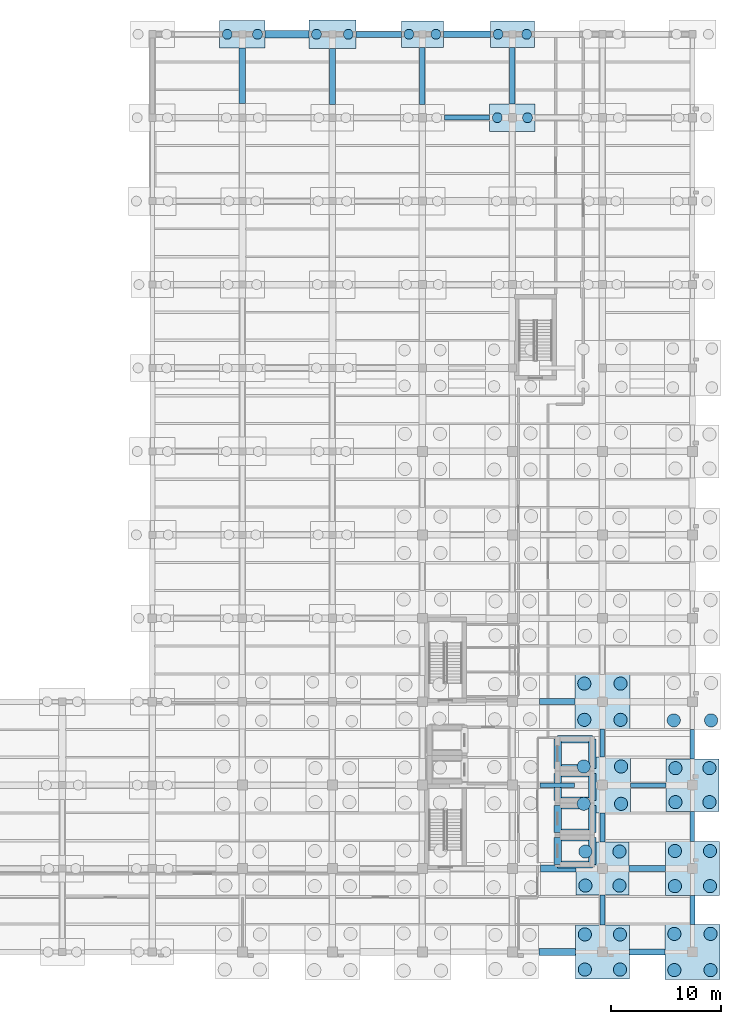
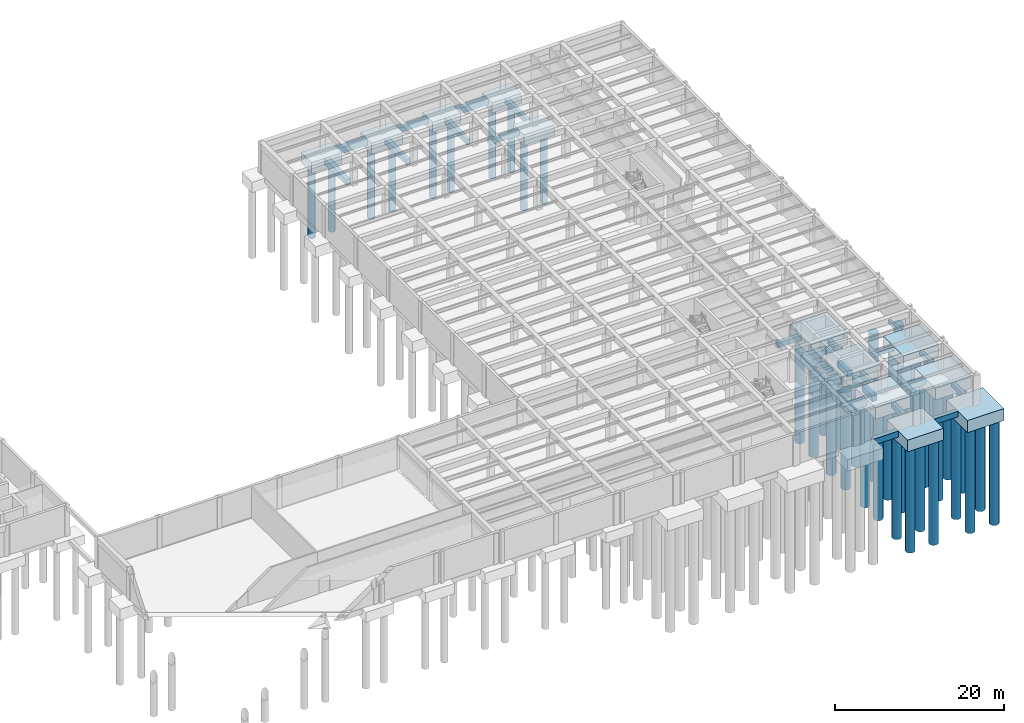
# One storey, part 6 of 29: 49 footings, 40 piles.
"""IFC4 building model written with IfcOpenShell, lengths in metres."""

from ifc_helpers import new_model, si_unit, direction, frame, origin, origin_2d, place, context, subcontext, project, spatial, rectangle, circle, extrude, material, material_profile, profile_set, type_object, element, save


model = new_model("IFC4")

# Units and contexts
model_context = context("Model", 3, precision=1e-05, world=origin(), true_north=direction((0.0, 1.0)))
body_context = subcontext(model_context, "Body", "Model", "MODEL_VIEW")
ifc_project = project(units=[si_unit("LENGTHUNIT", "METRE"), si_unit("AREAUNIT", "SQUARE_METRE"), si_unit("VOLUMEUNIT", "CUBIC_METRE"), si_unit("PLANEANGLEUNIT", "RADIAN"), si_unit("MASSUNIT", "GRAM", prefix="KILO")], contexts=[model_context])

# Site, building, storey
site_placement = place(None, origin())
site = spatial("IfcSite", under=ifc_project, at=site_placement, CompositionType="ELEMENT")
building_placement = place(site_placement, origin())
building = spatial("IfcBuilding", under=site, at=building_placement, Name="Qandaris Square Conservatory and Botanical Centre", CompositionType="ELEMENT")
storey_placement = place(building_placement, frame((0.0, 0.0, -4.800048828125)))
storey = spatial("IfcBuildingStorey", under=building, at=storey_placement, Name="B1", CompositionType="ELEMENT", Elevation=-4.800048828125)

# Piles
ifc_material_1 = material(Name="Concrete C50/60", Category="concrete")
ifc_material_profile_1 = material_profile(ifc_material_1, circle(Radius=0.60009765625, at=origin_2d()), Name="PILE D1200")
ifc_profile_set_1 = profile_set([ifc_material_profile_1], Name="Concrete C50/60")
pile_type_1 = type_object("IfcPileType", Name="Bored Pile D1200", PredefinedType="BORED", material=ifc_profile_set_1)
for number, where, z_axis, x_axis, name in (
    (1, (154.0, 15.0, -1.599853515625), (0.0, 0.0, -1.0), (1.0, 0.0, 0.0), "Bored Pile B19-1"),
    (2, (157.199951171875, 15.0, -1.599853515625), (0.0, 0.0, -1.0), (1.0, 0.0, 0.0), "Bored Pile B19-2"),
    (3, (154.0, 18.199951171875, -1.599853515625), (0.0, 0.0, -1.0), (1.0, 0.0, 0.0), "Bored Pile B19-3"),
    (4, (157.199951171875, 18.199951171875, -1.599853515625), (0.0, 0.0, -1.0), (1.0, 0.0, 0.0), "Bored Pile B19-4"),
):
    element("IfcPile", number, at=place(storey_placement, frame(where, z_axis=z_axis, x_axis=x_axis)), inside=storey, type_object=pile_type_1, Name=name, PredefinedType="BORED", context=body_context, shape_type="SweptSolid", body=[
        extrude(circle(Radius=0.60009765625, at=origin_2d()), origin(), (0.0, 0.0, 1.0), 15.10009765625),
    ])
for number, where, z_axis, x_axis, name in (
    (5, (154.050048828125, 22.64990234375, -1.550048828125), (0.0, 0.0, -1.0), (1.0, 0.0, 0.0), "Bored Pile C19-1"),
    (6, (157.14990234375, 22.64990234375, -1.550048828125), (0.0, 0.0, -1.0), (1.0, 0.0, 0.0), "Bored Pile C19-2"),
    (7, (154.050048828125, 25.75, -1.550048828125), (0.0, 0.0, -1.0), (1.0, 0.0, 0.0), "Bored Pile C19-3"),
    (8, (157.14990234375, 25.75, -1.550048828125), (0.0, 0.0, -1.0), (1.0, 0.0, 0.0), "Bored Pile C19-4"),
):
    element("IfcPile", number, at=place(storey_placement, frame(where, z_axis=z_axis, x_axis=x_axis)), inside=storey, type_object=pile_type_1, Name=name, PredefinedType="BORED", context=body_context, shape_type="SweptSolid", body=[
        extrude(circle(Radius=0.60009765625, at=origin_2d()), origin(), (0.0, 0.0, 1.0), 15.14990234375),
    ])
for number, where, z_axis, x_axis, name in (
    (9, (153.89990234375, 30.10009765625, -1.699951171875), (0.0, 0.0, -1.0), (1.0, 0.0, 0.0), "Bored Pile D19-1"),
    (10, (157.300048828125, 30.10009765625, -1.699951171875), (0.0, 0.0, -1.0), (1.0, 0.0, 0.0), "Bored Pile D19-2"),
    (11, (153.89990234375, 33.5, -1.699951171875), (0.0, 0.0, -1.0), (1.0, 0.0, 0.0), "Bored Pile D19-3"),
    (12, (157.300048828125, 33.5, -1.699951171875), (0.0, 0.0, -1.0), (1.0, 0.0, 0.0), "Bored Pile D19-4"),
):
    element("IfcPile", number, at=place(storey_placement, frame(where, z_axis=z_axis, x_axis=x_axis)), inside=storey, type_object=pile_type_1, Name=name, PredefinedType="BORED", context=body_context, shape_type="SweptSolid", body=[
        extrude(circle(Radius=0.60009765625, at=origin_2d()), origin(), (0.0, 0.0, 1.0), 15.0),
    ])
for number, where, z_axis, x_axis, name in (
    (13, (153.949951171875, 37.75, -1.64990234375), (0.0, 0.0, -1.0), (1.0, 0.0, 0.0), "Bored Pile E19-1"),
    (14, (157.25, 37.75, -1.64990234375), (0.0, 0.0, -1.0), (1.0, 0.0, 0.0), "Bored Pile E19-2"),
    (15, (153.949951171875, 41.050048828125, -1.64990234375), (0.0, 0.0, -1.0), (1.0, 0.0, 0.0), "Bored Pile E19-3"),
    (16, (157.25, 41.050048828125, -1.64990234375), (0.0, 0.0, -1.0), (1.0, 0.0, 0.0), "Bored Pile E19-4"),
    (17, (162.14990234375, 14.949951171875, -1.64990234375), (0.0, 0.0, -1.0), (1.0, 0.0, 0.0), "Bored Pile B20-1"),
    (18, (165.449951171875, 14.949951171875, -1.64990234375), (0.0, 0.0, -1.0), (1.0, 0.0, 0.0), "Bored Pile B20-2"),
    (19, (162.14990234375, 18.25, -1.64990234375), (0.0, 0.0, -1.0), (1.0, 0.0, 0.0), "Bored Pile B20-3"),
    (20, (165.449951171875, 18.25, -1.64990234375), (0.0, 0.0, -1.0), (1.0, 0.0, 0.0), "Bored Pile B20-4"),
):
    element("IfcPile", number, at=place(storey_placement, frame(where, z_axis=z_axis, x_axis=x_axis)), inside=storey, type_object=pile_type_1, Name=name, PredefinedType="BORED", context=body_context, shape_type="SweptSolid", body=[
        extrude(circle(Radius=0.60009765625, at=origin_2d()), origin(), (0.0, 0.0, 1.0), 15.050048828125),
    ])
for number, where, z_axis, x_axis, name in (
    (21, (162.199951171875, 22.60009765625, -1.599853515625), (0.0, 0.0, -1.0), (1.0, 0.0, 0.0), "Bored Pile C20-1"),
    (22, (165.39990234375, 22.60009765625, -1.599853515625), (0.0, 0.0, -1.0), (1.0, 0.0, 0.0), "Bored Pile C20-2"),
    (23, (162.199951171875, 25.800048828125, -1.599853515625), (0.0, 0.0, -1.0), (1.0, 0.0, 0.0), "Bored Pile C20-3"),
    (24, (165.39990234375, 25.800048828125, -1.599853515625), (0.0, 0.0, -1.0), (1.0, 0.0, 0.0), "Bored Pile C20-4"),
):
    element("IfcPile", number, at=place(storey_placement, frame(where, z_axis=z_axis, x_axis=x_axis)), inside=storey, type_object=pile_type_1, Name=name, PredefinedType="BORED", context=body_context, shape_type="SweptSolid", body=[
        extrude(circle(Radius=0.60009765625, at=origin_2d()), origin(), (0.0, 0.0, 1.0), 15.10009765625),
    ])
for number, where, z_axis, x_axis, name in (
    (25, (162.25, 30.25, -1.550048828125), (0.0, 0.0, -1.0), (1.0, 0.0, 0.0), "Bored Pile D20-1"),
    (26, (165.35009765625, 30.25, -1.550048828125), (0.0, 0.0, -1.0), (1.0, 0.0, 0.0), "Bored Pile D20-2"),
    (27, (162.25, 33.35009765625, -1.550048828125), (0.0, 0.0, -1.0), (1.0, 0.0, 0.0), "Bored Pile D20-3"),
    (28, (165.35009765625, 33.35009765625, -1.550048828125), (0.0, 0.0, -1.0), (1.0, 0.0, 0.0), "Bored Pile D20-4"),
):
    element("IfcPile", number, at=place(storey_placement, frame(where, z_axis=z_axis, x_axis=x_axis)), inside=storey, type_object=pile_type_1, Name=name, PredefinedType="BORED", context=body_context, shape_type="SweptSolid", body=[
        extrude(circle(Radius=0.60009765625, at=origin_2d()), origin(), (0.0, 0.0, 1.0), 15.14990234375),
    ])
for number, where, z_axis, x_axis, name in (
    (29, (162.10009765625, 37.699951171875, -1.699951171875), (0.0, 0.0, -1.0), (1.0, 0.0, 0.0), "Bored Pile E20-1"),
    (30, (165.5, 37.699951171875, -1.699951171875), (0.0, 0.0, -1.0), (1.0, 0.0, 0.0), "Bored Pile E20-2"),
):
    element("IfcPile", number, at=place(storey_placement, frame(where, z_axis=z_axis, x_axis=x_axis)), inside=storey, type_object=pile_type_1, Name=name, PredefinedType="BORED", context=body_context, shape_type="SweptSolid", body=[
        extrude(circle(Radius=0.60009765625, at=origin_2d()), origin(), (0.0, 0.0, 1.0), 15.0),
    ])
ifc_material_profile_2 = material_profile(ifc_material_1, circle(Radius=0.449951171875, at=origin_2d()), Name="PILE D900")
ifc_profile_set_2 = profile_set([ifc_material_profile_2], Name="Concrete C50/60")
pile_type_2 = type_object("IfcPileType", Name="Bored Pile D900", PredefinedType="BORED", material=ifc_profile_set_2)
for number, where, z_axis, x_axis, name in (
    (31, (121.425048828125, 100.199951171875, -1.449951171875), (0.0, 0.0, -1.0), (1.0, 0.0, 0.0), "Bored Pile N15-1"),
    (32, (124.175048828125, 100.199951171875, -1.449951171875), (0.0, 0.0, -1.0), (1.0, 0.0, 0.0), "Bored Pile N15-2"),
):
    element("IfcPile", number, at=place(storey_placement, frame(where, z_axis=z_axis, x_axis=x_axis)), inside=storey, type_object=pile_type_2, Name=name, PredefinedType="BORED", context=body_context, shape_type="SweptSolid", body=[
        extrude(circle(Radius=0.449951171875, at=origin_2d()), origin(), (0.0, 0.0, 1.0), 10.25),
    ])
for number, where, z_axis, x_axis, name in (
    (33, (129.550048828125, 100.199951171875, -1.5), (0.0, 0.0, -1.0), (1.0, 0.0, 0.0), "Bored Pile N16-1"),
    (34, (132.449951171875, 100.199951171875, -1.5), (0.0, 0.0, -1.0), (1.0, 0.0, 0.0), "Bored Pile N16-2"),
):
    element("IfcPile", number, at=place(storey_placement, frame(where, z_axis=z_axis, x_axis=x_axis)), inside=storey, type_object=pile_type_2, Name=name, PredefinedType="BORED", context=body_context, shape_type="SweptSolid", body=[
        extrude(circle(Radius=0.449951171875, at=origin_2d()), origin(), (0.0, 0.0, 1.0), 10.199951171875),
    ])
for number, where, z_axis, x_axis, name in (
    (35, (137.97509765625, 100.199951171875, -1.349853515625), (0.0, 0.0, -1.0), (1.0, 0.0, 0.0), "Bored Pile N17-1"),
    (36, (140.425048828125, 100.199951171875, -1.349853515625), (0.0, 0.0, -1.0), (1.0, 0.0, 0.0), "Bored Pile N17-2"),
):
    element("IfcPile", number, at=place(storey_placement, frame(where, z_axis=z_axis, x_axis=x_axis)), inside=storey, type_object=pile_type_2, Name=name, PredefinedType="BORED", context=body_context, shape_type="SweptSolid", body=[
        extrude(circle(Radius=0.449951171875, at=origin_2d()), origin(), (0.0, 0.0, 1.0), 10.35009765625),
    ])
for number, where, z_axis, x_axis, name in (
    (37, (146.02490234375, 92.60009765625, -1.449951171875), (0.0, 0.0, -1.0), (1.0, 0.0, 0.0), "Bored Pile M18-1"),
    (38, (148.77490234375, 92.60009765625, -1.449951171875), (0.0, 0.0, -1.0), (1.0, 0.0, 0.0), "Bored Pile M18-2"),
):
    element("IfcPile", number, at=place(storey_placement, frame(where, z_axis=z_axis, x_axis=x_axis)), inside=storey, type_object=pile_type_2, Name=name, PredefinedType="BORED", context=body_context, shape_type="SweptSolid", body=[
        extrude(circle(Radius=0.449951171875, at=origin_2d()), origin(), (0.0, 0.0, 1.0), 10.25),
    ])
for number, where, z_axis, x_axis, name in (
    (39, (146.10009765625, 100.199951171875, -1.39990234375), (0.0, 0.0, -1.0), (1.0, 0.0, 0.0), "Bored Pile N18-1"),
    (40, (148.699951171875, 100.199951171875, -1.39990234375), (0.0, 0.0, -1.0), (1.0, 0.0, 0.0), "Bored Pile N18-2"),
):
    element("IfcPile", number, at=place(storey_placement, frame(where, z_axis=z_axis, x_axis=x_axis)), inside=storey, type_object=pile_type_2, Name=name, PredefinedType="BORED", context=body_context, shape_type="SweptSolid", body=[
        extrude(circle(Radius=0.449951171875, at=origin_2d()), origin(), (0.0, 0.0, 1.0), 10.300048828125),
    ])

# Footings
ifc_material_2 = material(Name="Concrete C40/50", Category="concrete")
ifc_material_profile_3 = material_profile(ifc_material_2, rectangle(XDim=0.60009765625, YDim=0.85009765625, at=origin_2d()), Name="FB 600x850")
ifc_profile_set_3 = profile_set([ifc_material_profile_3], Name="Concrete C40/50")
footing_type_1 = type_object("IfcFootingType", Name="RC Ground Tie Beam FB-01", PredefinedType="FOOTING_BEAM", material=ifc_profile_set_3)
footing_1_placement = place(storey_placement, frame((149.800048828125, 16.60009765625, -0.425048828125), z_axis=(1.0, 0.0, 0.0), x_axis=(0.0, 1.0, 0.0)))
element("IfcFooting", 41, at=footing_1_placement, inside=storey, type_object=footing_type_1, Name="Ground Tie Beam FB-01-011", PredefinedType="FOOTING_BEAM", context=body_context, shape_type="SweptSolid", body=[
    extrude(rectangle(XDim=0.60009765625, YDim=0.85009765625, at=origin_2d()), origin(), (0.0, 0.0, 1.0), 3.349853515625),
])
footing_2_placement = place(storey_placement, frame((141.125, 100.199951171875, -0.425048828125), z_axis=(1.0, 0.0, 0.0), x_axis=(0.0, 1.0, 0.0)))
element("IfcFooting", 42, at=footing_2_placement, inside=storey, type_object=footing_type_1, Name="Ground Tie Beam FB-01-091", PredefinedType="FOOTING_BEAM", context=body_context, shape_type="SweptSolid", body=[
    extrude(rectangle(XDim=0.60009765625, YDim=0.85009765625, at=origin_2d()), origin(), (0.0, 0.0, 1.0), 4.27490234375),
])
footing_3_placement = place(storey_placement, frame((122.800048828125, 93.89990234375, -0.425048828125), z_axis=(0.0, 1.0, 0.0), x_axis=(-1.0, 0.0, 0.0)))
element("IfcFooting", 43, at=footing_3_placement, inside=storey, type_object=footing_type_1, Name="Ground Tie Beam FB-01-131", PredefinedType="FOOTING_BEAM", context=body_context, shape_type="SweptSolid", body=[
    extrude(rectangle(XDim=0.60009765625, YDim=0.85009765625, at=origin_2d()), origin(), (0.0, 0.0, 1.0), 5.050048828125),
])
ifc_material_profile_4 = material_profile(ifc_material_2, rectangle(XDim=0.550048828125, YDim=0.800048828125, at=origin_2d()), Name="FB 550x800")
ifc_profile_set_4 = profile_set([ifc_material_profile_4], Name="Concrete C40/50")
footing_type_2 = type_object("IfcFootingType", Name="RC Ground Tie Beam FB-02", PredefinedType="FOOTING_BEAM", material=ifc_profile_set_4)
footing_4_placement = place(storey_placement, frame((158.050048828125, 16.60009765625, -0.39990234375), z_axis=(1.0, 0.0, 0.0), x_axis=(0.0, 1.0, 0.0)))
element("IfcFooting", 44, at=footing_4_placement, inside=storey, type_object=footing_type_2, Name="Ground Tie Beam FB-02-012", PredefinedType="FOOTING_BEAM", context=body_context, shape_type="SweptSolid", body=[
    extrude(rectangle(XDim=0.550048828125, YDim=0.800048828125, at=origin_2d()), origin(), (0.0, 0.0, 1.0), 3.25),
])
footing_5_placement = place(storey_placement, frame((131.0, 93.800048828125, -0.39990234375), z_axis=(0.0, 1.0, 0.0), x_axis=(-1.0, 0.0, 0.0)))
element("IfcFooting", 45, at=footing_5_placement, inside=storey, type_object=footing_type_2, Name="Ground Tie Beam FB-02-142", PredefinedType="FOOTING_BEAM", context=body_context, shape_type="SweptSolid", body=[
    extrude(rectangle(XDim=0.550048828125, YDim=0.800048828125, at=origin_2d()), origin(), (0.0, 0.0, 1.0), 5.099853515625),
])
ifc_material_profile_5 = material_profile(ifc_material_2, rectangle(XDim=0.5, YDim=0.75, at=origin_2d()), Name="FB 500x750")
ifc_profile_set_5 = profile_set([ifc_material_profile_5], Name="Concrete C40/50")
footing_type_3 = type_object("IfcFootingType", Name="RC Ground Tie Beam FB-03", PredefinedType="FOOTING_BEAM", material=ifc_profile_set_5)
footing_6_placement = place(storey_placement, frame((139.199951171875, 93.824951171875, -0.375), z_axis=(0.0, 1.0, 0.0), x_axis=(-1.0, 0.0, 0.0)))
element("IfcFooting", 46, at=footing_6_placement, inside=storey, type_object=footing_type_3, Name="Ground Tie Beam FB-03-153", PredefinedType="FOOTING_BEAM", context=body_context, shape_type="SweptSolid", body=[
    extrude(rectangle(XDim=0.5, YDim=0.75, at=origin_2d()), origin(), (0.0, 0.0, 1.0), 5.175048828125),
])
ifc_material_profile_6 = material_profile(ifc_material_2, rectangle(XDim=0.5, YDim=0.699951171875, at=origin_2d()), Name="FB 500x700")
ifc_profile_set_6 = profile_set([ifc_material_profile_6], Name="Concrete C40/50")
footing_type_4 = type_object("IfcFootingType", Name="RC Ground Tie Beam FB-04", PredefinedType="FOOTING_BEAM", material=ifc_profile_set_6)
footing_7_placement = place(storey_placement, frame((147.39990234375, 93.85009765625, -0.349853515625), z_axis=(0.0, 1.0, 0.0), x_axis=(-1.0, 0.0, 0.0)))
element("IfcFooting", 47, at=footing_7_placement, inside=storey, type_object=footing_type_4, Name="Ground Tie Beam FB-04-164", PredefinedType="FOOTING_BEAM", context=body_context, shape_type="SweptSolid", body=[
    extrude(rectangle(XDim=0.5, YDim=0.699951171875, at=origin_2d()), origin(), (0.0, 0.0, 1.0), 5.125),
])
ifc_material_profile_7 = material_profile(ifc_material_2, rectangle(XDim=0.449951171875, YDim=0.64990234375, at=origin_2d()), Name="FB 450x650")
ifc_profile_set_7 = profile_set([ifc_material_profile_7], Name="Concrete C40/50")
footing_type_5 = type_object("IfcFootingType", Name="RC Ground Tie Beam FB-05", PredefinedType="FOOTING_BEAM", material=ifc_profile_set_7)
footing_8_placement = place(storey_placement, frame((141.199951171875, 92.60009765625, -0.324951171875), z_axis=(1.0, 0.0, 0.0), x_axis=(0.0, 1.0, 0.0)))
element("IfcFooting", 48, at=footing_8_placement, inside=storey, type_object=footing_type_5, Name="Ground Tie Beam FB-05-085", PredefinedType="FOOTING_BEAM", context=body_context, shape_type="SweptSolid", body=[
    extrude(rectangle(XDim=0.449951171875, YDim=0.64990234375, at=origin_2d()), origin(), (0.0, 0.0, 1.0), 4.125),
])
footing_9_placement = place(storey_placement, frame((155.60009765625, 19.050048828125, -0.324951171875), z_axis=(0.0, 1.0, 0.0), x_axis=(-1.0, 0.0, 0.0)))
element("IfcFooting", 49, at=footing_9_placement, inside=storey, type_object=footing_type_5, Name="Ground Tie Beam FB-05-165", PredefinedType="FOOTING_BEAM", context=body_context, shape_type="SweptSolid", body=[
    extrude(rectangle(XDim=0.449951171875, YDim=0.64990234375, at=origin_2d()), origin(), (0.0, 0.0, 1.0), 2.75),
])
ifc_material_profile_8 = material_profile(ifc_material_2, rectangle(XDim=0.449951171875, YDim=0.60009765625, at=origin_2d()), Name="FB 450x600")
ifc_profile_set_8 = profile_set([ifc_material_profile_8], Name="Concrete C40/50")
footing_type_6 = type_object("IfcFootingType", Name="RC Ground Tie Beam FB-06", PredefinedType="FOOTING_BEAM", material=ifc_profile_set_8)
for number, where, z_axis, x_axis, name in (
    (50, (155.60009765625, 26.60009765625, -0.300048828125), (0.0, 1.0, 0.0), (-1.0, 0.0, 0.0), "Ground Tie Beam FB-06-166"),
    (51, (163.800048828125, 19.10009765625, -0.300048828125), (0.0, 1.0, 0.0), (-1.0, 0.0, 0.0), "Ground Tie Beam FB-06-176"),
):
    element("IfcFooting", number, at=place(storey_placement, frame(where, z_axis=z_axis, x_axis=x_axis)), inside=storey, type_object=footing_type_6, Name=name, PredefinedType="FOOTING_BEAM", context=body_context, shape_type="SweptSolid", body=[
        extrude(rectangle(XDim=0.449951171875, YDim=0.60009765625, at=origin_2d()), origin(), (0.0, 0.0, 1.0), 2.64990234375),
    ])
ifc_material_profile_9 = material_profile(ifc_material_2, rectangle(XDim=0.39990234375, YDim=0.60009765625, at=origin_2d()), Name="FB 400x600")
ifc_profile_set_9 = profile_set([ifc_material_profile_9], Name="Concrete C40/50")
footing_type_7 = type_object("IfcFootingType", Name="RC Ground Tie Beam FB-07", PredefinedType="FOOTING_BEAM", material=ifc_profile_set_9)
footing_10_placement = place(storey_placement, frame((149.89990234375, 31.800048828125, -0.300048828125), z_axis=(1.0, 0.0, 0.0), x_axis=(0.0, 1.0, 0.0)))
element("IfcFooting", 52, at=footing_10_placement, inside=storey, type_object=footing_type_7, Name="Ground Tie Beam FB-07-027", PredefinedType="FOOTING_BEAM", context=body_context, shape_type="SweptSolid", body=[
    extrude(rectangle(XDim=0.39990234375, YDim=0.60009765625, at=origin_2d()), origin(), (0.0, 0.0, 1.0), 3.150146484375),
])
footing_11_placement = place(storey_placement, frame((155.60009765625, 34.35009765625, -0.300048828125), z_axis=(0.0, 1.0, 0.0), x_axis=(-1.0, 0.0, 0.0)))
element("IfcFooting", 53, at=footing_11_placement, inside=storey, type_object=footing_type_7, Name="Ground Tie Beam FB-07-167", PredefinedType="FOOTING_BEAM", context=body_context, shape_type="SweptSolid", body=[
    extrude(rectangle(XDim=0.39990234375, YDim=0.60009765625, at=origin_2d()), origin(), (0.0, 0.0, 1.0), 2.5498046875),
])
footing_12_placement = place(storey_placement, frame((163.800048828125, 26.64990234375, -0.300048828125), z_axis=(0.0, 1.0, 0.0), x_axis=(-1.0, 0.0, 0.0)))
element("IfcFooting", 54, at=footing_12_placement, inside=storey, type_object=footing_type_7, Name="Ground Tie Beam FB-07-177", PredefinedType="FOOTING_BEAM", context=body_context, shape_type="SweptSolid", body=[
    extrude(rectangle(XDim=0.39990234375, YDim=0.60009765625, at=origin_2d()), origin(), (0.0, 0.0, 1.0), 2.75),
])
ifc_material_profile_10 = material_profile(ifc_material_2, rectangle(XDim=0.39990234375, YDim=0.550048828125, at=origin_2d()), Name="FB 400x550")
ifc_profile_set_10 = profile_set([ifc_material_profile_10], Name="Concrete C40/50")
footing_type_8 = type_object("IfcFootingType", Name="RC Ground Tie Beam FB-08", PredefinedType="FOOTING_BEAM", material=ifc_profile_set_10)
footing_13_placement = place(storey_placement, frame((158.14990234375, 31.800048828125, -0.27490234375), z_axis=(1.0, 0.0, 0.0), x_axis=(0.0, 1.0, 0.0)))
element("IfcFooting", 55, at=footing_13_placement, inside=storey, type_object=footing_type_8, Name="Ground Tie Beam FB-08-028", PredefinedType="FOOTING_BEAM", context=body_context, shape_type="SweptSolid", body=[
    extrude(rectangle(XDim=0.39990234375, YDim=0.550048828125, at=origin_2d()), origin(), (0.0, 0.0, 1.0), 3.25),
])
footing_14_placement = place(storey_placement, frame((163.800048828125, 34.199951171875, -0.27490234375), z_axis=(0.0, 1.0, 0.0), x_axis=(-1.0, 0.0, 0.0)))
element("IfcFooting", 56, at=footing_14_placement, inside=storey, type_object=footing_type_8, Name="Ground Tie Beam FB-08-178", PredefinedType="FOOTING_BEAM", context=body_context, shape_type="SweptSolid", body=[
    extrude(rectangle(XDim=0.39990234375, YDim=0.550048828125, at=origin_2d()), origin(), (0.0, 0.0, 1.0), 2.650146484375),
])
ifc_material_profile_11 = material_profile(ifc_material_2, rectangle(XDim=0.64990234375, YDim=0.89990234375, at=origin_2d()), Name="FB 650x900")
ifc_profile_set_11 = profile_set([ifc_material_profile_11], Name="Concrete C40/50")
footing_type_9 = type_object("IfcFootingType", Name="RC Ground Tie Beam FB-09", PredefinedType="FOOTING_BEAM", material=ifc_profile_set_11)
footing_15_placement = place(storey_placement, frame((149.949951171875, 24.199951171875, -0.449951171875), z_axis=(1.0, 0.0, 0.0), x_axis=(0.0, 1.0, 0.0)))
element("IfcFooting", 57, at=footing_15_placement, inside=storey, type_object=footing_type_9, Name="Ground Tie Beam FB-09-019", PredefinedType="FOOTING_BEAM", context=body_context, shape_type="SweptSolid", body=[
    extrude(rectangle(XDim=0.64990234375, YDim=0.89990234375, at=origin_2d()), origin(), (0.0, 0.0, 1.0), 3.25),
])
footing_16_placement = place(storey_placement, frame((124.875, 100.199951171875, -0.449951171875), z_axis=(1.0, 0.0, 0.0), x_axis=(0.0, 1.0, 0.0)))
element("IfcFooting", 58, at=footing_16_placement, inside=storey, type_object=footing_type_9, Name="Ground Tie Beam FB-09-089", PredefinedType="FOOTING_BEAM", context=body_context, shape_type="SweptSolid", body=[
    extrude(rectangle(XDim=0.64990234375, YDim=0.89990234375, at=origin_2d()), origin(), (0.0, 0.0, 1.0), 3.97509765625),
])
for number, where, z_axis, x_axis, name in (
    (59, (151.52490234375, 24.574951171875, -0.800048828125), (1.0, 0.0, 0.0), (0.0, 1.0, 0.0), "Lift PL1 Pit Foundation Wall S"),
    (60, (151.52490234375, 27.02490234375, -0.800048828125), (1.0, 0.0, 0.0), (0.0, 1.0, 0.0), "Lift PL1 Pit Foundation Wall N"),
):
    element("IfcFooting", number, at=place(storey_placement, frame(where, z_axis=z_axis, x_axis=x_axis)), inside=storey, type_object=footing_type_9, Name=name, PredefinedType="FOOTING_BEAM", context=body_context, shape_type="SweptSolid", body=[
        extrude(rectangle(XDim=0.64990234375, YDim=0.89990234375, at=origin_2d()), origin(), (0.0, 0.0, 1.0), 3.150146484375),
    ])
for number, where, z_axis, x_axis, name in (
    (61, (151.52490234375, 24.574951171875, -0.800048828125), (0.0, 1.0, 0.0), (-1.0, 0.0, 0.0), "Lift PL1 Pit Foundation Wall W"),
    (62, (154.675048828125, 24.574951171875, -0.800048828125), (0.0, 1.0, 0.0), (-1.0, 0.0, 0.0), "Lift PL1 Pit Foundation Wall E"),
):
    element("IfcFooting", number, at=place(storey_placement, frame(where, z_axis=z_axis, x_axis=x_axis)), inside=storey, type_object=footing_type_9, Name=name, PredefinedType="FOOTING_BEAM", context=body_context, shape_type="SweptSolid", body=[
        extrude(rectangle(XDim=0.64990234375, YDim=0.89990234375, at=origin_2d()), origin(), (0.0, 0.0, 1.0), 2.449951171875),
    ])
for number, where, z_axis, x_axis, name in (
    (63, (151.52490234375, 27.4951171875, -0.800048828125), (1.0, 0.0, 0.0), (0.0, 1.0, 0.0), "Lift PL2 Pit Foundation Wall S"),
    (64, (151.52490234375, 29.945068359375, -0.800048828125), (1.0, 0.0, 0.0), (0.0, 1.0, 0.0), "Lift PL2 Pit Foundation Wall N"),
):
    element("IfcFooting", number, at=place(storey_placement, frame(where, z_axis=z_axis, x_axis=x_axis)), inside=storey, type_object=footing_type_9, Name=name, PredefinedType="FOOTING_BEAM", context=body_context, shape_type="SweptSolid", body=[
        extrude(rectangle(XDim=0.64990234375, YDim=0.89990234375, at=origin_2d()), origin(), (0.0, 0.0, 1.0), 3.150146484375),
    ])
for number, where, z_axis, x_axis, name in (
    (65, (151.52490234375, 27.4951171875, -0.800048828125), (0.0, 1.0, 0.0), (-1.0, 0.0, 0.0), "Lift PL2 Pit Foundation Wall W"),
    (66, (154.675048828125, 27.4951171875, -0.800048828125), (0.0, 1.0, 0.0), (-1.0, 0.0, 0.0), "Lift PL2 Pit Foundation Wall E"),
):
    element("IfcFooting", number, at=place(storey_placement, frame(where, z_axis=z_axis, x_axis=x_axis)), inside=storey, type_object=footing_type_9, Name=name, PredefinedType="FOOTING_BEAM", context=body_context, shape_type="SweptSolid", body=[
        extrude(rectangle(XDim=0.64990234375, YDim=0.89990234375, at=origin_2d()), origin(), (0.0, 0.0, 1.0), 2.449951171875),
    ])
for number, where, z_axis, x_axis, name in (
    (67, (151.52490234375, 30.4150390625, -0.800048828125), (1.0, 0.0, 0.0), (0.0, 1.0, 0.0), "Lift PL3 Pit Foundation Wall S"),
    (68, (151.52490234375, 32.864990234375, -0.800048828125), (1.0, 0.0, 0.0), (0.0, 1.0, 0.0), "Lift PL3 Pit Foundation Wall N"),
):
    element("IfcFooting", number, at=place(storey_placement, frame(where, z_axis=z_axis, x_axis=x_axis)), inside=storey, type_object=footing_type_9, Name=name, PredefinedType="FOOTING_BEAM", context=body_context, shape_type="SweptSolid", body=[
        extrude(rectangle(XDim=0.64990234375, YDim=0.89990234375, at=origin_2d()), origin(), (0.0, 0.0, 1.0), 3.150146484375),
    ])
for number, where, z_axis, x_axis, name in (
    (69, (151.52490234375, 30.4150390625, -0.800048828125), (0.0, 1.0, 0.0), (-1.0, 0.0, 0.0), "Lift PL3 Pit Foundation Wall W"),
    (70, (154.675048828125, 30.4150390625, -0.800048828125), (0.0, 1.0, 0.0), (-1.0, 0.0, 0.0), "Lift PL3 Pit Foundation Wall E"),
):
    element("IfcFooting", number, at=place(storey_placement, frame(where, z_axis=z_axis, x_axis=x_axis)), inside=storey, type_object=footing_type_9, Name=name, PredefinedType="FOOTING_BEAM", context=body_context, shape_type="SweptSolid", body=[
        extrude(rectangle(XDim=0.64990234375, YDim=0.89990234375, at=origin_2d()), origin(), (0.0, 0.0, 1.0), 2.449951171875),
    ])
for number, where, z_axis, x_axis, name in (
    (71, (151.52490234375, 33.3349609375, -0.800048828125), (1.0, 0.0, 0.0), (0.0, 1.0, 0.0), "Lift GL1 Pit Foundation Wall S"),
    (72, (151.52490234375, 35.985107421875, -0.800048828125), (1.0, 0.0, 0.0), (0.0, 1.0, 0.0), "Lift GL1 Pit Foundation Wall N"),
):
    element("IfcFooting", number, at=place(storey_placement, frame(where, z_axis=z_axis, x_axis=x_axis)), inside=storey, type_object=footing_type_9, Name=name, PredefinedType="FOOTING_BEAM", context=body_context, shape_type="SweptSolid", body=[
        extrude(rectangle(XDim=0.64990234375, YDim=0.89990234375, at=origin_2d()), origin(), (0.0, 0.0, 1.0), 3.150146484375),
    ])
for number, where, z_axis, x_axis, name in (
    (73, (151.52490234375, 33.3349609375, -0.800048828125), (0.0, 1.0, 0.0), (-1.0, 0.0, 0.0), "Lift GL1 Pit Foundation Wall W"),
    (74, (154.675048828125, 33.3349609375, -0.800048828125), (0.0, 1.0, 0.0), (-1.0, 0.0, 0.0), "Lift GL1 Pit Foundation Wall E"),
):
    element("IfcFooting", number, at=place(storey_placement, frame(where, z_axis=z_axis, x_axis=x_axis)), inside=storey, type_object=footing_type_9, Name=name, PredefinedType="FOOTING_BEAM", context=body_context, shape_type="SweptSolid", body=[
        extrude(rectangle(XDim=0.64990234375, YDim=0.89990234375, at=origin_2d()), origin(), (0.0, 0.0, 1.0), 2.650146484375),
    ])
ifc_material_profile_12 = material_profile(ifc_material_2, rectangle(XDim=0.550048828125, YDim=0.699951171875, at=origin_2d()), Name="FB 550x700")
ifc_profile_set_12 = profile_set([ifc_material_profile_12], Name="Concrete C40/50")
footing_type_10 = type_object("IfcFootingType", Name="RC Ground Tie Beam FB-10", PredefinedType="FOOTING_BEAM", material=ifc_profile_set_12)
footing_17_placement = place(storey_placement, frame((158.0, 24.199951171875, -0.349853515625), z_axis=(1.0, 0.0, 0.0), x_axis=(0.0, 1.0, 0.0)))
element("IfcFooting", 75, at=footing_17_placement, inside=storey, type_object=footing_type_10, Name="Ground Tie Beam FB-10-020", PredefinedType="FOOTING_BEAM", context=body_context, shape_type="SweptSolid", body=[
    extrude(rectangle(XDim=0.550048828125, YDim=0.699951171875, at=origin_2d()), origin(), (0.0, 0.0, 1.0), 3.35009765625),
])
footing_18_placement = place(storey_placement, frame((149.85009765625, 39.39990234375, -0.349853515625), z_axis=(1.0, 0.0, 0.0), x_axis=(0.0, 1.0, 0.0)))
element("IfcFooting", 76, at=footing_18_placement, inside=storey, type_object=footing_type_10, Name="Ground Tie Beam FB-10-040", PredefinedType="FOOTING_BEAM", context=body_context, shape_type="SweptSolid", body=[
    extrude(rectangle(XDim=0.550048828125, YDim=0.699951171875, at=origin_2d()), origin(), (0.0, 0.0, 1.0), 3.25),
])
footing_19_placement = place(storey_placement, frame((133.14990234375, 100.199951171875, -0.349853515625), z_axis=(1.0, 0.0, 0.0), x_axis=(0.0, 1.0, 0.0)))
element("IfcFooting", 77, at=footing_19_placement, inside=storey, type_object=footing_type_10, Name="Ground Tie Beam FB-10-090", PredefinedType="FOOTING_BEAM", context=body_context, shape_type="SweptSolid", body=[
    extrude(rectangle(XDim=0.550048828125, YDim=0.699951171875, at=origin_2d()), origin(), (0.0, 0.0, 1.0), 4.125),
])
footing_type_11 = type_object("IfcFootingType", Name="RC Pile Cap PC-01", PredefinedType="PILE_CAP", material=ifc_material_2)
footing_20_placement = place(storey_placement, frame((155.60009765625, 31.800048828125, -1.7998046875), z_axis=(0.0, 0.0, 1.0), x_axis=(1.0, 0.0, 0.0)))
element("IfcFooting", 78, at=footing_20_placement, inside=storey, type_object=footing_type_11, Name="Pile Cap PC-01 at D19", PredefinedType="PILE_CAP", context=body_context, shape_type="SweptSolid", body=[
    extrude(rectangle(XDim=5.10009765625, YDim=5.10009765625, at=origin_2d()), origin(), (0.0, 0.0, 1.0), 1.800048828125),
])
footing_type_12 = type_object("IfcFootingType", Name="RC Pile Cap PC-02", PredefinedType="PILE_CAP", material=ifc_material_2)
for number, where, z_axis, x_axis, name in (
    (79, (155.60009765625, 39.39990234375, -1.75), (0.0, 0.0, 1.0), (1.0, 0.0, 0.0), "Pile Cap PC-02 at E19"),
    (80, (163.800048828125, 16.60009765625, -1.75), (0.0, 0.0, 1.0), (1.0, 0.0, 0.0), "Pile Cap PC-02 at B20"),
):
    element("IfcFooting", number, at=place(storey_placement, frame(where, z_axis=z_axis, x_axis=x_axis)), inside=storey, type_object=footing_type_12, Name=name, PredefinedType="PILE_CAP", context=body_context, shape_type="SweptSolid", body=[
        extrude(rectangle(XDim=5.0, YDim=5.0, at=origin_2d()), origin(), (0.0, 0.0, 1.0), 1.75),
    ])
footing_type_13 = type_object("IfcFootingType", Name="RC Pile Cap PC-03", PredefinedType="PILE_CAP", material=ifc_material_2)
for number, where, z_axis, x_axis, name in (
    (81, (155.60009765625, 16.60009765625, -1.69970703125), (0.0, 0.0, 1.0), (1.0, 0.0, 0.0), "Pile Cap PC-03 at B19"),
    (82, (163.800048828125, 24.199951171875, -1.69970703125), (0.0, 0.0, 1.0), (1.0, 0.0, 0.0), "Pile Cap PC-03 at C20"),
):
    element("IfcFooting", number, at=place(storey_placement, frame(where, z_axis=z_axis, x_axis=x_axis)), inside=storey, type_object=footing_type_13, Name=name, PredefinedType="PILE_CAP", context=body_context, shape_type="SweptSolid", body=[
        extrude(rectangle(XDim=4.89990234375, YDim=4.89990234375, at=origin_2d()), origin(), (0.0, 0.0, 1.0), 1.699951171875),
    ])
footing_type_14 = type_object("IfcFootingType", Name="RC Pile Cap PC-04", PredefinedType="PILE_CAP", material=ifc_material_2)
for number, where, z_axis, x_axis, name in (
    (83, (155.60009765625, 24.199951171875, -1.64990234375), (0.0, 0.0, 1.0), (1.0, 0.0, 0.0), "Pile Cap PC-04 at C19"),
    (84, (163.800048828125, 31.800048828125, -1.64990234375), (0.0, 0.0, 1.0), (1.0, 0.0, 0.0), "Pile Cap PC-04 at D20"),
):
    element("IfcFooting", number, at=place(storey_placement, frame(where, z_axis=z_axis, x_axis=x_axis)), inside=storey, type_object=footing_type_14, Name=name, PredefinedType="PILE_CAP", context=body_context, shape_type="SweptSolid", body=[
        extrude(rectangle(XDim=4.800048828125, YDim=4.800048828125, at=origin_2d()), origin(), (0.0, 0.0, 1.0), 1.64990234375),
    ])
footing_type_15 = type_object("IfcFootingType", Name="RC Pile Cap PC-05", PredefinedType="PILE_CAP", material=ifc_material_2)
footing_21_placement = place(storey_placement, frame((131.0, 100.199951171875, -1.60009765625), z_axis=(0.0, 0.0, 1.0), x_axis=(1.0, 0.0, 0.0)))
element("IfcFooting", 85, at=footing_21_placement, inside=storey, type_object=footing_type_15, Name="Pile Cap PC-05 at N16", PredefinedType="PILE_CAP", context=body_context, shape_type="SweptSolid", body=[
    extrude(rectangle(XDim=4.300048828125, YDim=2.60009765625, at=origin_2d()), origin(), (0.0, 0.0, 1.0), 1.60009765625),
])
footing_type_16 = type_object("IfcFootingType", Name="RC Pile Cap PC-06", PredefinedType="PILE_CAP", material=ifc_material_2)
for number, where, z_axis, x_axis, name in (
    (86, (122.800048828125, 100.199951171875, -1.5498046875), (0.0, 0.0, 1.0), (1.0, 0.0, 0.0), "Pile Cap PC-06 at N15"),
    (87, (147.39990234375, 92.60009765625, -1.5498046875), (0.0, 0.0, 1.0), (1.0, 0.0, 0.0), "Pile Cap PC-06 at M18"),
):
    element("IfcFooting", number, at=place(storey_placement, frame(where, z_axis=z_axis, x_axis=x_axis)), inside=storey, type_object=footing_type_16, Name=name, PredefinedType="PILE_CAP", context=body_context, shape_type="SweptSolid", body=[
        extrude(rectangle(XDim=4.14990234375, YDim=2.5, at=origin_2d()), origin(), (0.0, 0.0, 1.0), 1.550048828125),
    ])
footing_type_17 = type_object("IfcFootingType", Name="RC Pile Cap PC-07", PredefinedType="PILE_CAP", material=ifc_material_2)
footing_22_placement = place(storey_placement, frame((147.39990234375, 100.199951171875, -1.5), z_axis=(0.0, 0.0, 1.0), x_axis=(1.0, 0.0, 0.0)))
element("IfcFooting", 88, at=footing_22_placement, inside=storey, type_object=footing_type_17, Name="Pile Cap PC-07 at N18", PredefinedType="PILE_CAP", context=body_context, shape_type="SweptSolid", body=[
    extrude(rectangle(XDim=4.0, YDim=2.449951171875, at=origin_2d()), origin(), (0.0, 0.0, 1.0), 1.5),
])
footing_type_18 = type_object("IfcFootingType", Name="RC Pile Cap PC-08", PredefinedType="PILE_CAP", material=ifc_material_2)
footing_23_placement = place(storey_placement, frame((139.199951171875, 100.199951171875, -1.44970703125), z_axis=(0.0, 0.0, 1.0), x_axis=(1.0, 0.0, 0.0)))
element("IfcFooting", 89, at=footing_23_placement, inside=storey, type_object=footing_type_18, Name="Pile Cap PC-08 at N17", PredefinedType="PILE_CAP", context=body_context, shape_type="SweptSolid", body=[
    extrude(rectangle(XDim=3.85009765625, YDim=2.39990234375, at=origin_2d()), origin(), (0.0, 0.0, 1.0), 1.449951171875),
])

save(model, "model.ifc")
